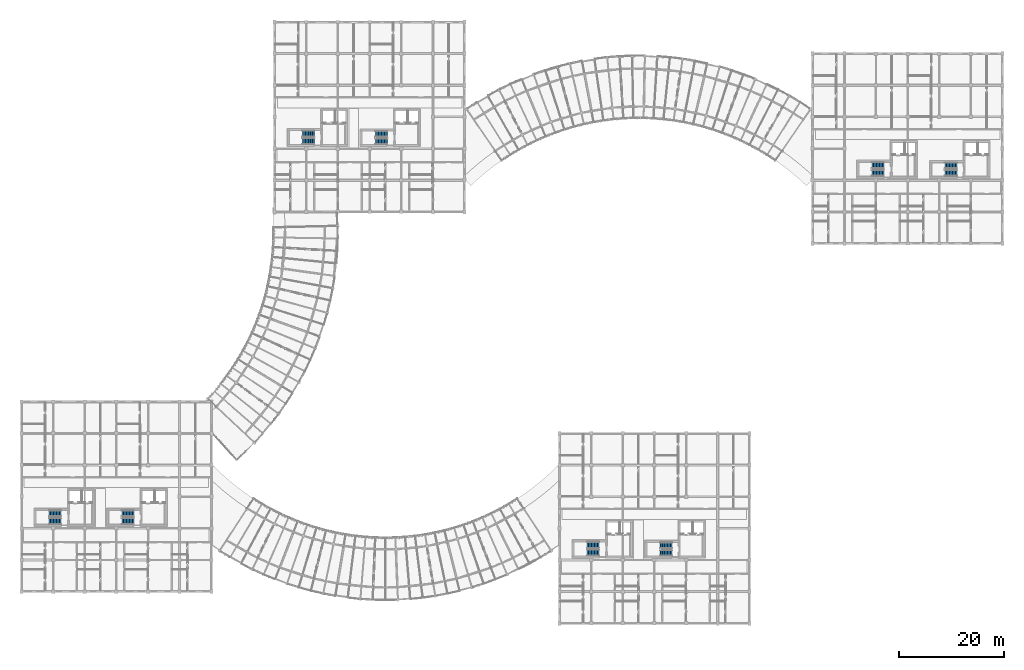
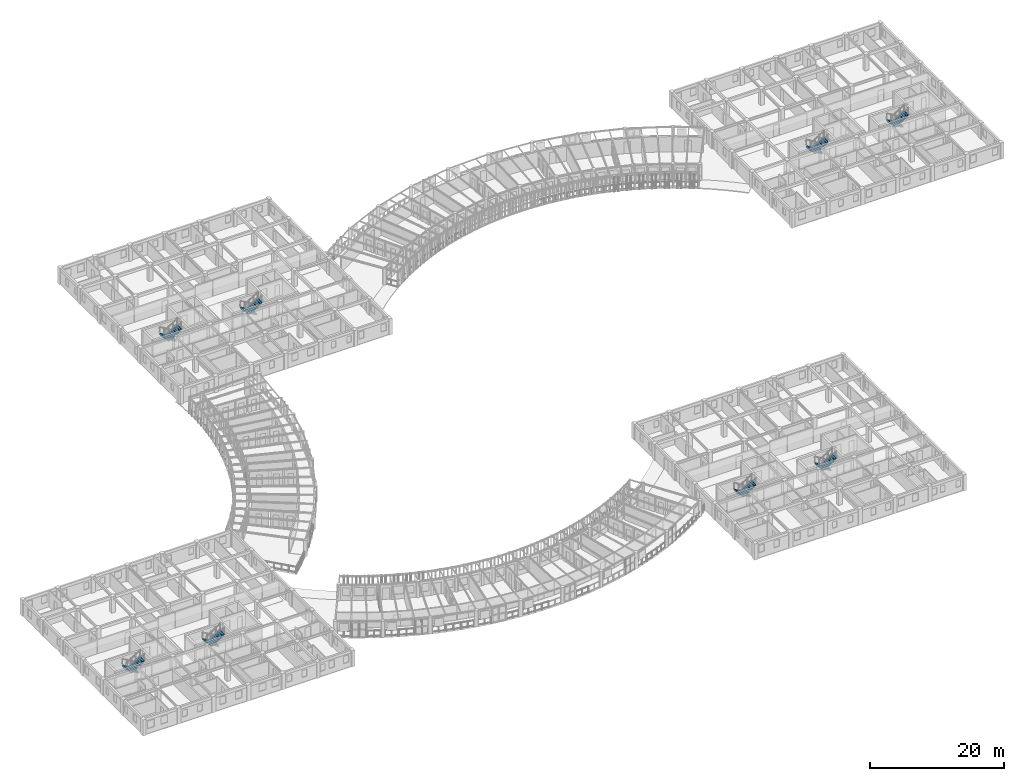
# One storey, part 82 of 100: 16 stair flights, 8 elements without a shape of their own.
"""IFC4 building model written with IfcOpenShell, lengths in metres."""

from ifc_helpers import new_model, si_unit, direction, frame, origin, place, context, subcontext, project, spatial, polyline, outline, extrude, material, type_object, element, aggregate, save


model = new_model("IFC4")

# Units and contexts
model_context = context("Model", 3, precision=1e-05, world=origin(), true_north=direction((0.0, 1.0)))
body_context = subcontext(model_context, "Body", "Model", "MODEL_VIEW")
ifc_project = project(units=[si_unit("LENGTHUNIT", "METRE"), si_unit("AREAUNIT", "SQUARE_METRE"), si_unit("VOLUMEUNIT", "CUBIC_METRE"), si_unit("PLANEANGLEUNIT", "RADIAN"), si_unit("MASSUNIT", "GRAM", prefix="KILO"), si_unit("POWERUNIT", "WATT"), si_unit("THERMODYNAMICTEMPERATUREUNIT", "KELVIN")], contexts=[model_context])

# Site, building, storey
site_placement = place(None, origin())
site = spatial("IfcSite", under=ifc_project, at=site_placement, CompositionType="ELEMENT")
building_placement = place(site_placement, origin())
building = spatial("IfcBuilding", under=site, at=building_placement, Name="Ruvembo Vaulted Housing Court", CompositionType="ELEMENT")
storey_placement = place(building_placement, frame((0.0, 0.0, 14.10009765625)))
storey = spatial("IfcBuildingStorey", under=building, at=storey_placement, Name="L04", CompositionType="ELEMENT", Elevation=14.10009765625)

# Stair, stair flights
ifc_material = material(Name="Concrete C35/45", Category="concrete")
stair_type_1 = type_object("IfcStairType", Name="STR-CORE-1200", PredefinedType="HALF_TURN_STAIR", material=ifc_material)
stair_1_placement = place(storey_placement, origin())
stair_1 = element("IfcStair", 1, at=stair_1_placement, inside=storey, type_object=stair_type_1, Name="L04 Protected Exit Stair ST-B2", PredefinedType="HALF_TURN_STAIR")
stair_flight_type_1 = type_object("IfcStairFlightType", Name="SFL-1200", PredefinedType="STRAIGHT", material=ifc_material)
stair_flight_1_placement = place(storey_placement, frame((69.35009765625, 92.75, 0.0), z_axis=(0.0, 0.0, 1.0), x_axis=(-1.0, 0.0, 0.0)))
stair_flight_1 = element("IfcStairFlight", 2, at=stair_flight_1_placement, type_object=stair_flight_type_1, Name="ST-B2 flight 1", NumberOfRisers=9, NumberOfTreads=8, PredefinedType="STRAIGHT", RiserHeight=0.177777778, TreadLength=0.28, context=body_context, shape_type="SweptSolid", body=[
    extrude(outline(polyline([(-0.02490234375, -0.0400390625), (-0.02490234375, 0.0), (0.0, 0.0), (0.0, 0.177734375), (0.280029296875, 0.177734375), (0.280029296875, 0.35546875), (0.56005859375, 0.35546875), (0.56005859375, 0.533447265625), (0.840087890625, 0.533447265625), (0.840087890625, 0.711181640625), (1.1201171875, 0.711181640625), (1.1201171875, 0.888916015625), (1.39990234375, 0.888916015625), (1.39990234375, 1.066650390625), (1.679931640625, 1.066650390625), (1.679931640625, 1.244384765625), (1.9599609375, 1.244384765625), (1.9599609375, 1.422119140625), (2.239990234375, 1.422119140625), (2.239990234375, 1.60009765625), (2.264892578125, 1.60009765625), (2.264892578125, 1.4501953125), (2.239990234375, 1.24462890625), (0.27978515625, 0.0), (0.0, -0.0400390625), (-0.02490234375, -0.0400390625)])), frame((0.0, 0.60009765625, 0.0), z_axis=(0.0, -1.0, 0.0), x_axis=(1.0, 0.0, 0.0)), (0.0, 0.0, 1.0), 1.199951171875),
])
stair_flight_2_placement = place(storey_placement, frame((67.110107421875, 91.35009765625, 1.599853515625), z_axis=(0.0, 0.0, 1.0), x_axis=(1.0, 0.0, 0.0)))
stair_flight_2 = element("IfcStairFlight", 3, at=stair_flight_2_placement, type_object=stair_flight_type_1, Name="ST-B2 flight 2", NumberOfRisers=9, NumberOfTreads=8, PredefinedType="STRAIGHT", RiserHeight=0.177777778, TreadLength=0.28, context=body_context, shape_type="SweptSolid", body=[
    extrude(outline(polyline([(-0.02490234375, -0.0400390625), (-0.02490234375, 0.0), (0.0, 0.0), (0.0, 0.177734375), (0.280029296875, 0.177734375), (0.280029296875, 0.35546875), (0.56005859375, 0.35546875), (0.56005859375, 0.533447265625), (0.840087890625, 0.533447265625), (0.840087890625, 0.711181640625), (1.1201171875, 0.711181640625), (1.1201171875, 0.888916015625), (1.39990234375, 0.888916015625), (1.39990234375, 1.066650390625), (1.679931640625, 1.066650390625), (1.679931640625, 1.244384765625), (1.9599609375, 1.244384765625), (1.9599609375, 1.422119140625), (2.239990234375, 1.422119140625), (2.239990234375, 1.60009765625), (2.264892578125, 1.60009765625), (2.264892578125, 1.4501953125), (2.239990234375, 1.24462890625), (0.27978515625, 0.0), (0.0, -0.0400390625), (-0.02490234375, -0.0400390625)])), frame((0.0, 0.60009765625, 0.0), z_axis=(0.0, -1.0, 0.0), x_axis=(1.0, 0.0, 0.0)), (0.0, 0.0, 1.0), 1.199951171875),
])
aggregate(stair_1, [stair_flight_1, stair_flight_2])

stair_2_placement = place(storey_placement, origin())
stair_2 = element("IfcStair", 4, at=stair_2_placement, inside=storey, type_object=stair_type_1, Name="L04 Protected Exit Stair ST-C2", PredefinedType="HALF_TURN_STAIR")
stair_flight_3_placement = place(storey_placement, frame((123.35009765625, 14.75, 0.0), z_axis=(0.0, 0.0, 1.0), x_axis=(-1.0, 0.0, 0.0)))
stair_flight_3 = element("IfcStairFlight", 5, at=stair_flight_3_placement, type_object=stair_flight_type_1, Name="ST-C2 flight 1", NumberOfRisers=9, NumberOfTreads=8, PredefinedType="STRAIGHT", RiserHeight=0.177777778, TreadLength=0.28, context=body_context, shape_type="SweptSolid", body=[
    extrude(outline(polyline([(-0.02490234375, -0.0400390625), (-0.02490234375, 0.0), (0.0, 0.0), (0.0, 0.177734375), (0.280029296875, 0.177734375), (0.280029296875, 0.35546875), (0.56005859375, 0.35546875), (0.56005859375, 0.533447265625), (0.840087890625, 0.533447265625), (0.840087890625, 0.711181640625), (1.1201171875, 0.711181640625), (1.1201171875, 0.888916015625), (1.39990234375, 0.888916015625), (1.39990234375, 1.066650390625), (1.679931640625, 1.066650390625), (1.679931640625, 1.244384765625), (1.9599609375, 1.244384765625), (1.9599609375, 1.422119140625), (2.239990234375, 1.422119140625), (2.239990234375, 1.60009765625), (2.264892578125, 1.60009765625), (2.264892578125, 1.4501953125), (2.239990234375, 1.24462890625), (0.27978515625, 0.0), (0.0, -0.0400390625), (-0.02490234375, -0.0400390625)])), frame((0.0, 0.60009765625, 0.0), z_axis=(0.0, -1.0, 0.0), x_axis=(1.0, 0.0, 0.0)), (0.0, 0.0, 1.0), 1.199951171875),
])
stair_flight_4_placement = place(storey_placement, frame((121.110107421875, 13.35009765625, 1.599853515625), z_axis=(0.0, 0.0, 1.0), x_axis=(1.0, 0.0, 0.0)))
stair_flight_4 = element("IfcStairFlight", 6, at=stair_flight_4_placement, type_object=stair_flight_type_1, Name="ST-C2 flight 2", NumberOfRisers=9, NumberOfTreads=8, PredefinedType="STRAIGHT", RiserHeight=0.177777778, TreadLength=0.28, context=body_context, shape_type="SweptSolid", body=[
    extrude(outline(polyline([(-0.02490234375, -0.0400390625), (-0.02490234375, 0.0), (0.0, 0.0), (0.0, 0.177734375), (0.280029296875, 0.177734375), (0.280029296875, 0.35546875), (0.56005859375, 0.35546875), (0.56005859375, 0.533447265625), (0.840087890625, 0.533447265625), (0.840087890625, 0.711181640625), (1.1201171875, 0.711181640625), (1.1201171875, 0.888916015625), (1.39990234375, 0.888916015625), (1.39990234375, 1.066650390625), (1.679931640625, 1.066650390625), (1.679931640625, 1.244384765625), (1.9599609375, 1.244384765625), (1.9599609375, 1.422119140625), (2.239990234375, 1.422119140625), (2.239990234375, 1.60009765625), (2.264892578125, 1.60009765625), (2.264892578125, 1.4501953125), (2.239990234375, 1.24462890625), (0.27978515625, 0.0), (0.0, -0.0400390625), (-0.02490234375, -0.0400390625)])), frame((0.0, 0.60009765625, 0.0), z_axis=(0.0, -1.0, 0.0), x_axis=(1.0, 0.0, 0.0)), (0.0, 0.0, 1.0), 1.199951171875),
])
aggregate(stair_2, [stair_flight_3, stair_flight_4])

stair_3_placement = place(storey_placement, origin())
stair_3 = element("IfcStair", 7, at=stair_3_placement, inside=storey, type_object=stair_type_1, Name="L04 Protected Exit Stair ST-D2", PredefinedType="HALF_TURN_STAIR")
stair_flight_5_placement = place(storey_placement, frame((177.35009765625, 86.75, 0.0), z_axis=(0.0, 0.0, 1.0), x_axis=(-1.0, 0.0, 0.0)))
stair_flight_5 = element("IfcStairFlight", 8, at=stair_flight_5_placement, type_object=stair_flight_type_1, Name="ST-D2 flight 1", NumberOfRisers=9, NumberOfTreads=8, PredefinedType="STRAIGHT", RiserHeight=0.177777778, TreadLength=0.28, context=body_context, shape_type="SweptSolid", body=[
    extrude(outline(polyline([(-0.02490234375, -0.0400390625), (-0.02490234375, 0.0), (0.0, 0.0), (0.0, 0.177734375), (0.280029296875, 0.177734375), (0.280029296875, 0.35546875), (0.56005859375, 0.35546875), (0.56005859375, 0.533447265625), (0.840087890625, 0.533447265625), (0.840087890625, 0.711181640625), (1.1201171875, 0.711181640625), (1.1201171875, 0.888916015625), (1.39990234375, 0.888916015625), (1.39990234375, 1.066650390625), (1.679931640625, 1.066650390625), (1.679931640625, 1.244384765625), (1.9599609375, 1.244384765625), (1.9599609375, 1.422119140625), (2.239990234375, 1.422119140625), (2.239990234375, 1.60009765625), (2.264892578125, 1.60009765625), (2.264892578125, 1.4501953125), (2.239990234375, 1.24462890625), (0.27978515625, 0.0), (0.0, -0.0400390625), (-0.02490234375, -0.0400390625)])), frame((0.0, 0.60009765625, 0.0), z_axis=(0.0, -1.0, 0.0), x_axis=(1.0, 0.0, 0.0)), (0.0, 0.0, 1.0), 1.199951171875),
])
stair_flight_6_placement = place(storey_placement, frame((175.110107421875, 85.35009765625, 1.599853515625), z_axis=(0.0, 0.0, 1.0), x_axis=(1.0, 0.0, 0.0)))
stair_flight_6 = element("IfcStairFlight", 9, at=stair_flight_6_placement, type_object=stair_flight_type_1, Name="ST-D2 flight 2", NumberOfRisers=9, NumberOfTreads=8, PredefinedType="STRAIGHT", RiserHeight=0.177777778, TreadLength=0.28, context=body_context, shape_type="SweptSolid", body=[
    extrude(outline(polyline([(-0.02490234375, -0.0400390625), (-0.02490234375, 0.0), (0.0, 0.0), (0.0, 0.177734375), (0.280029296875, 0.177734375), (0.280029296875, 0.35546875), (0.56005859375, 0.35546875), (0.56005859375, 0.533447265625), (0.840087890625, 0.533447265625), (0.840087890625, 0.711181640625), (1.1201171875, 0.711181640625), (1.1201171875, 0.888916015625), (1.39990234375, 0.888916015625), (1.39990234375, 1.066650390625), (1.679931640625, 1.066650390625), (1.679931640625, 1.244384765625), (1.9599609375, 1.244384765625), (1.9599609375, 1.422119140625), (2.239990234375, 1.422119140625), (2.239990234375, 1.60009765625), (2.264892578125, 1.60009765625), (2.264892578125, 1.4501953125), (2.239990234375, 1.24462890625), (0.27978515625, 0.0), (0.0, -0.0400390625), (-0.02490234375, -0.0400390625)])), frame((0.0, 0.60009765625, 0.0), z_axis=(0.0, -1.0, 0.0), x_axis=(1.0, 0.0, 0.0)), (0.0, 0.0, 1.0), 1.199951171875),
])
aggregate(stair_3, [stair_flight_5, stair_flight_6])

stair_type_2 = type_object("IfcStairType", Name="STR-CORE-1250", PredefinedType="HALF_TURN_STAIR", material=ifc_material)
stair_4_placement = place(storey_placement, origin())
stair_4 = element("IfcStair", 10, at=stair_4_placement, inside=storey, type_object=stair_type_2, Name="L04 Protected Exit Stair ST-A1", PredefinedType="HALF_TURN_STAIR")
stair_flight_type_2 = type_object("IfcStairFlightType", Name="SFL-1250", PredefinedType="STRAIGHT", material=ifc_material)
stair_flight_7_placement = place(storey_placement, frame((7.5, 20.824951171875, 0.0), z_axis=(0.0, 0.0, 1.0), x_axis=(-1.0, 0.0, 0.0)))
stair_flight_7 = element("IfcStairFlight", 11, at=stair_flight_7_placement, type_object=stair_flight_type_2, Name="ST-A1 flight 1", NumberOfRisers=9, NumberOfTreads=8, PredefinedType="STRAIGHT", RiserHeight=0.177777778, TreadLength=0.28, context=body_context, shape_type="SweptSolid", body=[
    extrude(outline(polyline([(-0.02490234375, -0.0400390625), (-0.02490234375, 0.0), (0.0, 0.0), (0.0, 0.177734375), (0.280029296875, 0.177734375), (0.280029296875, 0.35546875), (0.56005859375, 0.35546875), (0.56005859375, 0.533447265625), (0.840087890625, 0.533447265625), (0.840087890625, 0.711181640625), (1.1201171875, 0.711181640625), (1.1201171875, 0.888916015625), (1.39990234375, 0.888916015625), (1.39990234375, 1.066650390625), (1.679931640625, 1.066650390625), (1.679931640625, 1.244384765625), (1.9599609375, 1.244384765625), (1.9599609375, 1.422119140625), (2.239990234375, 1.422119140625), (2.239990234375, 1.60009765625), (2.264892578125, 1.60009765625), (2.264892578125, 1.4501953125), (2.239990234375, 1.24462890625), (0.27978515625, 0.0), (0.0, -0.0400390625), (-0.02490234375, -0.0400390625)])), frame((0.0, 0.625, 0.0), z_axis=(0.0, -1.0, 0.0), x_axis=(1.0, 0.0, 0.0)), (0.0, 0.0, 1.0), 1.25),
])
stair_flight_8_placement = place(storey_placement, frame((5.260009765625, 19.375, 1.599853515625), z_axis=(0.0, 0.0, 1.0), x_axis=(1.0, 0.0, 0.0)))
stair_flight_8 = element("IfcStairFlight", 12, at=stair_flight_8_placement, type_object=stair_flight_type_2, Name="ST-A1 flight 2", NumberOfRisers=9, NumberOfTreads=8, PredefinedType="STRAIGHT", RiserHeight=0.177777778, TreadLength=0.28, context=body_context, shape_type="SweptSolid", body=[
    extrude(outline(polyline([(-0.02490234375, -0.0400390625), (-0.02490234375, 0.0), (0.0, 0.0), (0.0, 0.177734375), (0.280029296875, 0.177734375), (0.280029296875, 0.35546875), (0.56005859375, 0.35546875), (0.56005859375, 0.533447265625), (0.840087890625, 0.533447265625), (0.840087890625, 0.711181640625), (1.1201171875, 0.711181640625), (1.1201171875, 0.888916015625), (1.39990234375, 0.888916015625), (1.39990234375, 1.066650390625), (1.679931640625, 1.066650390625), (1.679931640625, 1.244384765625), (1.9599609375, 1.244384765625), (1.9599609375, 1.422119140625), (2.239990234375, 1.422119140625), (2.239990234375, 1.60009765625), (2.264892578125, 1.60009765625), (2.264892578125, 1.4501953125), (2.239990234375, 1.24462890625), (0.27978515625, 0.0), (0.0, -0.0400390625), (-0.02490234375, -0.0400390625)])), frame((0.0, 0.625, 0.0), z_axis=(0.0, -1.0, 0.0), x_axis=(1.0, 0.0, 0.0)), (0.0, 0.0, 1.0), 1.25),
])
aggregate(stair_4, [stair_flight_7, stair_flight_8])

stair_5_placement = place(storey_placement, origin())
stair_5 = element("IfcStair", 13, at=stair_5_placement, inside=storey, type_object=stair_type_2, Name="L04 Protected Exit Stair ST-A2", PredefinedType="HALF_TURN_STAIR")
stair_flight_9_placement = place(storey_placement, frame((21.300048828125, 20.824951171875, 0.0), z_axis=(0.0, 0.0, 1.0), x_axis=(-1.0, 0.0, 0.0)))
stair_flight_9 = element("IfcStairFlight", 14, at=stair_flight_9_placement, type_object=stair_flight_type_2, Name="ST-A2 flight 1", NumberOfRisers=9, NumberOfTreads=8, PredefinedType="STRAIGHT", RiserHeight=0.177777778, TreadLength=0.28, context=body_context, shape_type="SweptSolid", body=[
    extrude(outline(polyline([(-0.02490234375, -0.0400390625), (-0.02490234375, 0.0), (0.0, 0.0), (0.0, 0.177734375), (0.280029296875, 0.177734375), (0.280029296875, 0.35546875), (0.56005859375, 0.35546875), (0.56005859375, 0.533447265625), (0.840087890625, 0.533447265625), (0.840087890625, 0.711181640625), (1.1201171875, 0.711181640625), (1.1201171875, 0.888916015625), (1.39990234375, 0.888916015625), (1.39990234375, 1.066650390625), (1.679931640625, 1.066650390625), (1.679931640625, 1.244384765625), (1.9599609375, 1.244384765625), (1.9599609375, 1.422119140625), (2.239990234375, 1.422119140625), (2.239990234375, 1.60009765625), (2.264892578125, 1.60009765625), (2.264892578125, 1.4501953125), (2.239990234375, 1.24462890625), (0.27978515625, 0.0), (0.0, -0.0400390625), (-0.02490234375, -0.0400390625)])), frame((0.0, 0.625, 0.0), z_axis=(0.0, -1.0, 0.0), x_axis=(1.0, 0.0, 0.0)), (0.0, 0.0, 1.0), 1.25),
])
stair_flight_10_placement = place(storey_placement, frame((19.06005859375, 19.375, 1.599853515625), z_axis=(0.0, 0.0, 1.0), x_axis=(1.0, 0.0, 0.0)))
stair_flight_10 = element("IfcStairFlight", 15, at=stair_flight_10_placement, type_object=stair_flight_type_2, Name="ST-A2 flight 2", NumberOfRisers=9, NumberOfTreads=8, PredefinedType="STRAIGHT", RiserHeight=0.177777778, TreadLength=0.28, context=body_context, shape_type="SweptSolid", body=[
    extrude(outline(polyline([(-0.02490234375, -0.0400390625), (-0.02490234375, 0.0), (0.0, 0.0), (0.0, 0.177734375), (0.280029296875, 0.177734375), (0.280029296875, 0.35546875), (0.56005859375, 0.35546875), (0.56005859375, 0.533447265625), (0.840087890625, 0.533447265625), (0.840087890625, 0.711181640625), (1.1201171875, 0.711181640625), (1.1201171875, 0.888916015625), (1.39990234375, 0.888916015625), (1.39990234375, 1.066650390625), (1.679931640625, 1.066650390625), (1.679931640625, 1.244384765625), (1.9599609375, 1.244384765625), (1.9599609375, 1.422119140625), (2.239990234375, 1.422119140625), (2.239990234375, 1.60009765625), (2.264892578125, 1.60009765625), (2.264892578125, 1.4501953125), (2.239990234375, 1.24462890625), (0.27978515625, 0.0), (0.0, -0.0400390625), (-0.02490234375, -0.0400390625)])), frame((0.0, 0.625, 0.0), z_axis=(0.0, -1.0, 0.0), x_axis=(1.0, 0.0, 0.0)), (0.0, 0.0, 1.0), 1.25),
])
aggregate(stair_5, [stair_flight_9, stair_flight_10])

stair_6_placement = place(storey_placement, origin())
stair_6 = element("IfcStair", 16, at=stair_6_placement, inside=storey, type_object=stair_type_2, Name="L04 Protected Exit Stair ST-B1", PredefinedType="HALF_TURN_STAIR")
stair_flight_11_placement = place(storey_placement, frame((55.5, 92.824951171875, 0.0), z_axis=(0.0, 0.0, 1.0), x_axis=(-1.0, 0.0, 0.0)))
stair_flight_11 = element("IfcStairFlight", 17, at=stair_flight_11_placement, type_object=stair_flight_type_2, Name="ST-B1 flight 1", NumberOfRisers=9, NumberOfTreads=8, PredefinedType="STRAIGHT", RiserHeight=0.177777778, TreadLength=0.28, context=body_context, shape_type="SweptSolid", body=[
    extrude(outline(polyline([(-0.02490234375, -0.0400390625), (-0.02490234375, 0.0), (0.0, 0.0), (0.0, 0.177734375), (0.280029296875, 0.177734375), (0.280029296875, 0.35546875), (0.56005859375, 0.35546875), (0.56005859375, 0.533447265625), (0.840087890625, 0.533447265625), (0.840087890625, 0.711181640625), (1.1201171875, 0.711181640625), (1.1201171875, 0.888916015625), (1.39990234375, 0.888916015625), (1.39990234375, 1.066650390625), (1.679931640625, 1.066650390625), (1.679931640625, 1.244384765625), (1.9599609375, 1.244384765625), (1.9599609375, 1.422119140625), (2.239990234375, 1.422119140625), (2.239990234375, 1.60009765625), (2.264892578125, 1.60009765625), (2.264892578125, 1.4501953125), (2.239990234375, 1.24462890625), (0.27978515625, 0.0), (0.0, -0.0400390625), (-0.02490234375, -0.0400390625)])), frame((0.0, 0.625, 0.0), z_axis=(0.0, -1.0, 0.0), x_axis=(1.0, 0.0, 0.0)), (0.0, 0.0, 1.0), 1.25),
])
stair_flight_12_placement = place(storey_placement, frame((53.260009765625, 91.375, 1.599853515625), z_axis=(0.0, 0.0, 1.0), x_axis=(1.0, 0.0, 0.0)))
stair_flight_12 = element("IfcStairFlight", 18, at=stair_flight_12_placement, type_object=stair_flight_type_2, Name="ST-B1 flight 2", NumberOfRisers=9, NumberOfTreads=8, PredefinedType="STRAIGHT", RiserHeight=0.177777778, TreadLength=0.28, context=body_context, shape_type="SweptSolid", body=[
    extrude(outline(polyline([(-0.02490234375, -0.0400390625), (-0.02490234375, 0.0), (0.0, 0.0), (0.0, 0.177734375), (0.280029296875, 0.177734375), (0.280029296875, 0.35546875), (0.56005859375, 0.35546875), (0.56005859375, 0.533447265625), (0.840087890625, 0.533447265625), (0.840087890625, 0.711181640625), (1.1201171875, 0.711181640625), (1.1201171875, 0.888916015625), (1.39990234375, 0.888916015625), (1.39990234375, 1.066650390625), (1.679931640625, 1.066650390625), (1.679931640625, 1.244384765625), (1.9599609375, 1.244384765625), (1.9599609375, 1.422119140625), (2.239990234375, 1.422119140625), (2.239990234375, 1.60009765625), (2.264892578125, 1.60009765625), (2.264892578125, 1.4501953125), (2.239990234375, 1.24462890625), (0.27978515625, 0.0), (0.0, -0.0400390625), (-0.02490234375, -0.0400390625)])), frame((0.0, 0.625, 0.0), z_axis=(0.0, -1.0, 0.0), x_axis=(1.0, 0.0, 0.0)), (0.0, 0.0, 1.0), 1.25),
])
aggregate(stair_6, [stair_flight_11, stair_flight_12])

stair_7_placement = place(storey_placement, origin())
stair_7 = element("IfcStair", 19, at=stair_7_placement, inside=storey, type_object=stair_type_2, Name="L04 Protected Exit Stair ST-C1", PredefinedType="HALF_TURN_STAIR")
stair_flight_13_placement = place(storey_placement, frame((109.5, 14.824951171875, 0.0), z_axis=(0.0, 0.0, 1.0), x_axis=(-1.0, 0.0, 0.0)))
stair_flight_13 = element("IfcStairFlight", 20, at=stair_flight_13_placement, type_object=stair_flight_type_2, Name="ST-C1 flight 1", NumberOfRisers=9, NumberOfTreads=8, PredefinedType="STRAIGHT", RiserHeight=0.177777778, TreadLength=0.28, context=body_context, shape_type="SweptSolid", body=[
    extrude(outline(polyline([(-0.02490234375, -0.0400390625), (-0.02490234375, 0.0), (0.0, 0.0), (0.0, 0.177734375), (0.280029296875, 0.177734375), (0.280029296875, 0.35546875), (0.56005859375, 0.35546875), (0.56005859375, 0.533447265625), (0.840087890625, 0.533447265625), (0.840087890625, 0.711181640625), (1.1201171875, 0.711181640625), (1.1201171875, 0.888916015625), (1.39990234375, 0.888916015625), (1.39990234375, 1.066650390625), (1.679931640625, 1.066650390625), (1.679931640625, 1.244384765625), (1.9599609375, 1.244384765625), (1.9599609375, 1.422119140625), (2.239990234375, 1.422119140625), (2.239990234375, 1.60009765625), (2.264892578125, 1.60009765625), (2.264892578125, 1.4501953125), (2.239990234375, 1.24462890625), (0.27978515625, 0.0), (0.0, -0.0400390625), (-0.02490234375, -0.0400390625)])), frame((0.0, 0.625, 0.0), z_axis=(0.0, -1.0, 0.0), x_axis=(1.0, 0.0, 0.0)), (0.0, 0.0, 1.0), 1.25),
])
stair_flight_14_placement = place(storey_placement, frame((107.260009765625, 13.375, 1.599853515625), z_axis=(0.0, 0.0, 1.0), x_axis=(1.0, 0.0, 0.0)))
stair_flight_14 = element("IfcStairFlight", 21, at=stair_flight_14_placement, type_object=stair_flight_type_2, Name="ST-C1 flight 2", NumberOfRisers=9, NumberOfTreads=8, PredefinedType="STRAIGHT", RiserHeight=0.177777778, TreadLength=0.28, context=body_context, shape_type="SweptSolid", body=[
    extrude(outline(polyline([(-0.02490234375, -0.0400390625), (-0.02490234375, 0.0), (0.0, 0.0), (0.0, 0.177734375), (0.280029296875, 0.177734375), (0.280029296875, 0.35546875), (0.56005859375, 0.35546875), (0.56005859375, 0.533447265625), (0.840087890625, 0.533447265625), (0.840087890625, 0.711181640625), (1.1201171875, 0.711181640625), (1.1201171875, 0.888916015625), (1.39990234375, 0.888916015625), (1.39990234375, 1.066650390625), (1.679931640625, 1.066650390625), (1.679931640625, 1.244384765625), (1.9599609375, 1.244384765625), (1.9599609375, 1.422119140625), (2.239990234375, 1.422119140625), (2.239990234375, 1.60009765625), (2.264892578125, 1.60009765625), (2.264892578125, 1.4501953125), (2.239990234375, 1.24462890625), (0.27978515625, 0.0), (0.0, -0.0400390625), (-0.02490234375, -0.0400390625)])), frame((0.0, 0.625, 0.0), z_axis=(0.0, -1.0, 0.0), x_axis=(1.0, 0.0, 0.0)), (0.0, 0.0, 1.0), 1.25),
])
aggregate(stair_7, [stair_flight_13, stair_flight_14])

stair_8_placement = place(storey_placement, origin())
stair_8 = element("IfcStair", 22, at=stair_8_placement, inside=storey, type_object=stair_type_2, Name="L04 Protected Exit Stair ST-D1", PredefinedType="HALF_TURN_STAIR")
stair_flight_15_placement = place(storey_placement, frame((163.5, 86.824951171875, 0.0), z_axis=(0.0, 0.0, 1.0), x_axis=(-1.0, 0.0, 0.0)))
stair_flight_15 = element("IfcStairFlight", 23, at=stair_flight_15_placement, type_object=stair_flight_type_2, Name="ST-D1 flight 1", NumberOfRisers=9, NumberOfTreads=8, PredefinedType="STRAIGHT", RiserHeight=0.177777778, TreadLength=0.28, context=body_context, shape_type="SweptSolid", body=[
    extrude(outline(polyline([(-0.02490234375, -0.0400390625), (-0.02490234375, 0.0), (0.0, 0.0), (0.0, 0.177734375), (0.280029296875, 0.177734375), (0.280029296875, 0.35546875), (0.56005859375, 0.35546875), (0.56005859375, 0.533447265625), (0.840087890625, 0.533447265625), (0.840087890625, 0.711181640625), (1.1201171875, 0.711181640625), (1.1201171875, 0.888916015625), (1.39990234375, 0.888916015625), (1.39990234375, 1.066650390625), (1.679931640625, 1.066650390625), (1.679931640625, 1.244384765625), (1.9599609375, 1.244384765625), (1.9599609375, 1.422119140625), (2.239990234375, 1.422119140625), (2.239990234375, 1.60009765625), (2.264892578125, 1.60009765625), (2.264892578125, 1.4501953125), (2.239990234375, 1.24462890625), (0.27978515625, 0.0), (0.0, -0.0400390625), (-0.02490234375, -0.0400390625)])), frame((0.0, 0.625, 0.0), z_axis=(0.0, -1.0, 0.0), x_axis=(1.0, 0.0, 0.0)), (0.0, 0.0, 1.0), 1.25),
])
stair_flight_16_placement = place(storey_placement, frame((161.260009765625, 85.375, 1.599853515625), z_axis=(0.0, 0.0, 1.0), x_axis=(1.0, 0.0, 0.0)))
stair_flight_16 = element("IfcStairFlight", 24, at=stair_flight_16_placement, type_object=stair_flight_type_2, Name="ST-D1 flight 2", NumberOfRisers=9, NumberOfTreads=8, PredefinedType="STRAIGHT", RiserHeight=0.177777778, TreadLength=0.28, context=body_context, shape_type="SweptSolid", body=[
    extrude(outline(polyline([(-0.02490234375, -0.0400390625), (-0.02490234375, 0.0), (0.0, 0.0), (0.0, 0.177734375), (0.280029296875, 0.177734375), (0.280029296875, 0.35546875), (0.56005859375, 0.35546875), (0.56005859375, 0.533447265625), (0.840087890625, 0.533447265625), (0.840087890625, 0.711181640625), (1.1201171875, 0.711181640625), (1.1201171875, 0.888916015625), (1.39990234375, 0.888916015625), (1.39990234375, 1.066650390625), (1.679931640625, 1.066650390625), (1.679931640625, 1.244384765625), (1.9599609375, 1.244384765625), (1.9599609375, 1.422119140625), (2.239990234375, 1.422119140625), (2.239990234375, 1.60009765625), (2.264892578125, 1.60009765625), (2.264892578125, 1.4501953125), (2.239990234375, 1.24462890625), (0.27978515625, 0.0), (0.0, -0.0400390625), (-0.02490234375, -0.0400390625)])), frame((0.0, 0.625, 0.0), z_axis=(0.0, -1.0, 0.0), x_axis=(1.0, 0.0, 0.0)), (0.0, 0.0, 1.0), 1.25),
])
aggregate(stair_8, [stair_flight_15, stair_flight_16])

save(model, "model.ifc")
